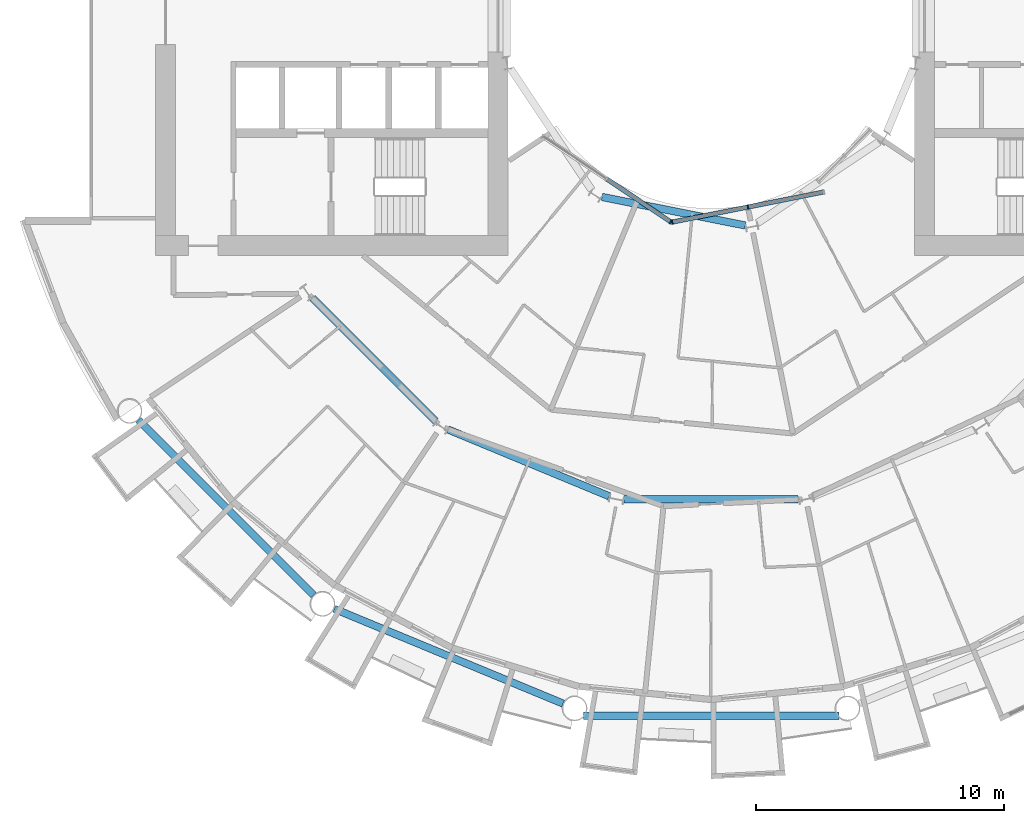
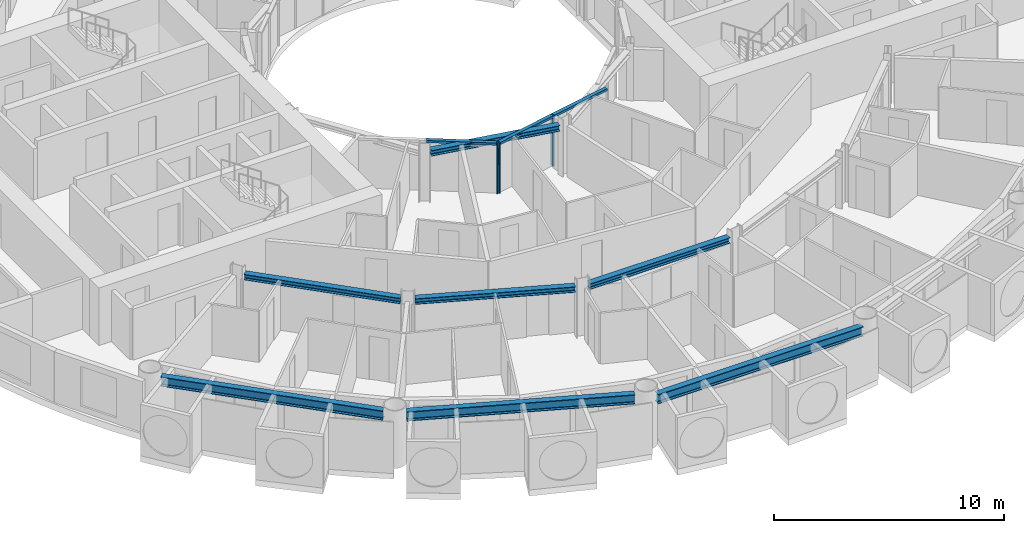
# One storey, part 4 of 26: 7 beams, 6 members, 2 elements without a shape of their own.
"""IFC4 building model written with IfcOpenShell, lengths in metres."""

import ifcopenshell
import ifcopenshell.guid

model = None  # the IFC model being written
_history = None  # IfcOwnerHistory: only IFC2X3 demands one
_inside = {}  # id of a spatial element -> (the spatial element, [elements in it])
_under = {}  # id of a project, library or spatial element -> (it, [spatial elements below it])
_declared = {}  # id of a project -> (the project, [libraries it declares])
_typed = {}  # id of a type object -> (the type object, [elements of that type])
_made_of = {}  # id of a material, layer set ... -> (it, [elements and type objects made of it])


def new_model(schema):
    """Start an empty IFC model of exactly this schema.

    Asked for "IFC4X3", IfcOpenShell would pick the latest addendum, in which some entities
    have other attributes; the version numbers below select the first issue.
    IFC2X3 requires an IfcOwnerHistory on every rooted entity: one is made here for all.
    """
    global model, _history
    if schema == "IFC4X3":
        model = ifcopenshell.file(schema_version=(4, 3, 0, 0))
    else:
        model = ifcopenshell.file(schema=schema)
    _inside.clear()
    _under.clear()
    _declared.clear()
    _typed.clear()
    _made_of.clear()
    _history = None
    if model.schema == "IFC2X3":
        org = make("IfcOrganization", Name="unknown")
        user = make(
            "IfcPersonAndOrganization",
            ThePerson=make("IfcPerson", FamilyName="unknown"),
            TheOrganization=org,
        )
        app = make(
            "IfcApplication",
            ApplicationDeveloper=org,
            Version="unknown",
            ApplicationFullName="unknown",
            ApplicationIdentifier="unknown",
        )
        _history = make(
            "IfcOwnerHistory",
            OwningUser=user,
            OwningApplication=app,
            ChangeAction="ADDED",
            CreationDate=0,
        )
    return model


def make(cls, **values):
    """One entity of the class cls with the attributes given. An attribute that is None is left unset."""
    return model.create_entity(
        cls, **{name: value for name, value in values.items() if value is not None}
    )


def rooted(cls, **values):
    """An entity with a GlobalId (a new one), such as an element, a storey or a relation."""
    return make(cls, GlobalId=ifcopenshell.guid.new(), OwnerHistory=_history, **values)


def si_unit(unit_type, name, prefix=None):
    """IfcSIUnit, for example si_unit("LENGTHUNIT", "METRE", prefix="MILLI")."""
    return make("IfcSIUnit", UnitType=unit_type, Prefix=prefix, Name=name)


def assignment(units):
    """IfcUnitAssignment: the units of a project."""
    return None if units is None else make("IfcUnitAssignment", Units=units)


def point(xyz):
    """IfcCartesianPoint."""
    return None if xyz is None else make("IfcCartesianPoint", Coordinates=xyz)


def direction(xyz):
    """IfcDirection."""
    return None if xyz is None else make("IfcDirection", DirectionRatios=xyz)


def frame(location, z_axis=None, x_axis=None):
    """IfcAxis2Placement3D, a coordinate frame: its origin and axes. An axis left out is left unset."""
    return make(
        "IfcAxis2Placement3D",
        Location=point(location),
        Axis=direction(z_axis),
        RefDirection=direction(x_axis),
    )


def frame_2d(location, x_axis=None):
    """IfcAxis2Placement2D, a coordinate frame in the plane: its origin and x axis."""
    return make(
        "IfcAxis2Placement2D", Location=point(location), RefDirection=direction(x_axis)
    )


def origin():
    """The frame at (0, 0, 0) with its axes left unset."""
    return frame((0.0, 0.0, 0.0))


def origin_2d():
    """The frame at (0, 0) in the plane with its x axis left unset."""
    return frame_2d((0.0, 0.0))


def place(relative_to, where):
    """IfcLocalPlacement: puts the frame where relative to a parent placement (None: the world)."""
    return make(
        "IfcLocalPlacement", PlacementRelTo=relative_to, RelativePlacement=where
    )


def context(
    kind, dimensions, precision=None, world=None, true_north=None, identifier=None
):
    """IfcGeometricRepresentationContext, for example the 3D "Model" context."""
    return make(
        "IfcGeometricRepresentationContext",
        ContextIdentifier=identifier,
        ContextType=kind,
        CoordinateSpaceDimension=dimensions,
        Precision=precision,
        WorldCoordinateSystem=world,
        TrueNorth=true_north,
    )


def subcontext(parent, identifier, kind, view, scale=None):
    """IfcGeometricRepresentationSubContext, for example "Body" below "Model"."""
    return make(
        "IfcGeometricRepresentationSubContext",
        ContextIdentifier=identifier,
        ContextType=kind,
        ParentContext=parent,
        TargetScale=scale,
        TargetView=view,
    )


def project(units=None, contexts=None):
    """IfcProject with its units and contexts."""
    return rooted(
        "IfcProject",
        Name="project",
        RepresentationContexts=contexts,
        UnitsInContext=assignment(units),
    )


def spatial(cls, under=None, at=None, **own):
    """A site, building, storey or space (cls), placed at a placement, below another one or the project."""
    s = rooted(cls, ObjectPlacement=at, **own)
    if under is not None:
        _under.setdefault(under.id(), (under, []))[1].append(s)
    return s


def profile(cls, at=None, kind="AREA", **sizes):
    """A parametric profile (cls). Its sizes go by their IFC names, for example OverallWidth=200.0."""
    return make(cls, ProfileType=kind, Position=at, **sizes)


def rectangle(**sizes):
    """IfcRectangleProfileDef."""
    return profile("IfcRectangleProfileDef", **sizes)


def i_section(**sizes):
    """IfcIShapeProfileDef."""
    return profile("IfcIShapeProfileDef", **sizes)


def extrude(swept, where, along, depth):
    """IfcExtrudedAreaSolid: the profile swept, set in the frame where, extruded along a direction by depth."""
    return make(
        "IfcExtrudedAreaSolid",
        SweptArea=swept,
        Position=where,
        ExtrudedDirection=direction(along),
        Depth=depth,
    )


def shape(context_of_items, identifier, shape_type, items):
    """IfcShapeRepresentation: the items that make up one representation, for example the "Body"."""
    return make(
        "IfcShapeRepresentation",
        ContextOfItems=context_of_items,
        RepresentationIdentifier=identifier,
        RepresentationType=shape_type,
        Items=items,
    )


def material(Name=None, Category=None):
    """IfcMaterial."""
    return make("IfcMaterial", Name=Name, Category=Category)


def layer(
    of_material, thickness, ventilated=None, Name=None, Category=None, Priority=None
):
    """IfcMaterialLayer: one layer of a wall or slab, of a material (None: an air gap)."""
    return make(
        "IfcMaterialLayer",
        Material=of_material,
        LayerThickness=thickness,
        IsVentilated=ventilated,
        Name=Name,
        Category=Category,
        Priority=Priority,
    )


def layer_set(layers, Name=None):
    """IfcMaterialLayerSet."""
    return make("IfcMaterialLayerSet", MaterialLayers=layers, LayerSetName=Name)


def material_profile(
    of_material, cross_section, Name=None, Category=None, Priority=None
):
    """IfcMaterialProfile: a cross section and its material."""
    return make(
        "IfcMaterialProfile",
        Name=Name,
        Material=of_material,
        Profile=cross_section,
        Priority=Priority,
        Category=Category,
    )


def profile_set(profiles, Name=None, composite=None):
    """IfcMaterialProfileSet."""
    return make(
        "IfcMaterialProfileSet",
        Name=Name,
        MaterialProfiles=profiles,
        CompositeProfile=composite,
    )


def made_of(thing, what):
    """Note that an element or type object is made of a material, layer set ...; save() writes the relation."""
    if what is not None:
        _made_of.setdefault(what.id(), (what, []))[1].append(thing)
    return thing


def type_object(cls, material=None, **own):
    """A type object (cls), such as IfcWallType, which elements share."""
    return made_of(rooted(cls, **own), material)


def element(
    cls,
    number,
    at=None,
    inside=None,
    cuts=None,
    type_object=None,
    material=None,
    context=None,
    identifier="Body",
    shape_type=None,
    held_by="IfcProductDefinitionShape",
    body=None,
    shapes=None,
    **own,
):
    """One element of the class cls, such as IfcWall. Its Tag is "e" and its number.

    at: its placement. inside: the storey or other place that contains it. cuts: it is an
    opening in that element (IfcRelVoidsElement). A single representation is given by context,
    identifier, shape_type and body (its items); several are given by shapes. held_by: the class
    of the entity that holds the representations. save() writes the other relations.
    """
    e = rooted(cls, Tag="e%d" % number, ObjectPlacement=at, **own)
    if body is not None:
        shapes = [shape(context, identifier, shape_type, body)]
    if shapes is not None:
        e.Representation = make(held_by, Representations=shapes)
    if inside is not None:
        _inside.setdefault(inside.id(), (inside, []))[1].append(e)
    if cuts is not None:
        rooted(
            "IfcRelVoidsElement", RelatingBuildingElement=cuts, RelatedOpeningElement=e
        )
    if type_object is not None:
        _typed.setdefault(type_object.id(), (type_object, []))[1].append(e)
    return made_of(e, material)


def aggregate(whole, parts):
    """IfcRelAggregates: a whole, such as a stair, and the parts it consists of."""
    return rooted("IfcRelAggregates", RelatingObject=whole, RelatedObjects=parts)


def save(model, path):
    """Write the relations noted so far, then the file.

    IfcRelAggregates (storeys below a building ...), IfcRelContainedInSpatialStructure (elements
    in a storey), IfcRelDefinesByType, IfcRelAssociatesMaterial and IfcRelDeclares: one each for
    every whole, place, type object, material and project.
    """
    for whole, parts in _under.values():
        aggregate(whole, parts)
    for where, things in _inside.values():
        rooted(
            "IfcRelContainedInSpatialStructure",
            RelatedElements=things,
            RelatingStructure=where,
        )
    for kind, things in _typed.values():
        rooted("IfcRelDefinesByType", RelatedObjects=things, RelatingType=kind)
    for what, things in _made_of.values():
        rooted("IfcRelAssociatesMaterial", RelatedObjects=things, RelatingMaterial=what)
    for by, libraries in _declared.values():
        rooted("IfcRelDeclares", RelatingContext=by, RelatedDefinitions=libraries)
    model.write(path)


model = new_model("IFC4")

# Units and contexts
model_context = context("Model", 3, precision=1e-05, world=origin(), true_north=direction((0.0, 1.0)))
body_context = subcontext(model_context, "Body", "Model", "MODEL_VIEW")
ifc_project = project(units=[si_unit("LENGTHUNIT", "METRE"), si_unit("AREAUNIT", "SQUARE_METRE"), si_unit("VOLUMEUNIT", "CUBIC_METRE"), si_unit("PLANEANGLEUNIT", "RADIAN"), si_unit("MASSUNIT", "GRAM", prefix="KILO")], contexts=[model_context])

# Site, building, storey
site_placement = place(None, origin())
site = spatial("IfcSite", under=ifc_project, at=site_placement, CompositionType="ELEMENT")
building_placement = place(site_placement, origin())
building = spatial("IfcBuilding", under=site, at=building_placement, Name="Maasbend Ring Residences", CompositionType="ELEMENT")
storey_placement = place(building_placement, frame((0.0, 0.0, 25.85009765625)))
storey = spatial("IfcBuildingStorey", under=building, at=storey_placement, Name="L06", CompositionType="ELEMENT", Elevation=25.85009765625)

# Curtain wall, member
ifc_material_1 = material(Name="Aluminium and clear glass", Category="aluminium")
ifc_layer = layer(ifc_material_1, 0.179931640625)
ifc_layer_set = layer_set([ifc_layer], Name="CW-W")
curtain_wall_type = type_object("IfcCurtainWallType", Name="CW-W", PredefinedType="NOTDEFINED", material=ifc_layer_set)
curtain_wall_1_placement = place(storey_placement, origin())
curtain_wall_1 = element("IfcCurtainWall", 1, at=curtain_wall_1_placement, inside=storey, type_object=curtain_wall_type, Name="Well curtain wall S1", PredefinedType="NOTDEFINED")
ifc_material_2 = material(Name="Aluminium 6063-T6", Category="aluminium")
ifc_material_profile_1 = material_profile(ifc_material_2, rectangle(XDim=0.179931640625, YDim=0.06005859375, at=origin_2d()), Name="AL 180x60")
ifc_profile_set_1 = profile_set([ifc_material_profile_1], Name="Aluminium 6063-T6")
member_type_1 = type_object("IfcMemberType", Name="CWM-W", PredefinedType="MULLION", material=ifc_profile_set_1)
member_1_placement = place(storey_placement, frame((-1.627685546875, -8.040771484375, 0.0), z_axis=(0.0, 0.0, 1.0), x_axis=(0.55557023302, 0.831469612303, 0.0)))
member_1 = element("IfcMember", 2, at=member_1_placement, type_object=member_type_1, Name="Mullion well face", PredefinedType="MULLION", context=body_context, shape_type="SweptSolid", body=[
    extrude(rectangle(XDim=0.179931640625, YDim=0.06005859375, at=origin_2d()), origin(), (0.0, 0.0, 1.0), 2.699951171875),
])

# Curtain wall, members
curtain_wall_2_placement = place(storey_placement, origin())
curtain_wall_2 = element("IfcCurtainWall", 3, at=curtain_wall_2_placement, inside=storey, type_object=curtain_wall_type, Name="Well curtain wall S2", PredefinedType="NOTDEFINED")
member_2_placement = place(storey_placement, frame((-1.5732421875, -8.0517578125, 0.0), z_axis=(0.0, 0.0, 1.0), x_axis=(-0.195090322016, 0.980785280403, 0.0)))
member_2 = element("IfcMember", 4, at=member_2_placement, type_object=member_type_1, Name="Mullion well face", PredefinedType="MULLION", context=body_context, shape_type="SweptSolid", body=[
    extrude(rectangle(XDim=0.179931640625, YDim=0.06005859375, at=origin_2d()), origin(), (0.0, 0.0, 1.0), 2.699951171875),
])
member_3_placement = place(storey_placement, frame((1.480712890625, -7.444091796875, 0.0), z_axis=(0.0, 0.0, 1.0), x_axis=(-0.195090322016, 0.980785280403, 0.0)))
member_3 = element("IfcMember", 5, at=member_3_placement, type_object=member_type_1, Name="Mullion well face", PredefinedType="MULLION", context=body_context, shape_type="SweptSolid", body=[
    extrude(rectangle(XDim=0.179931640625, YDim=0.06005859375, at=origin_2d()), origin(), (0.0, 0.0, 1.0), 2.699951171875),
])

# Member
ifc_material_3 = material(Name="Aluminium 6063-T6", Category="aluminium")
ifc_material_profile_2 = material_profile(ifc_material_3, rectangle(XDim=0.179931640625, YDim=0.1201171875, at=origin_2d()), Name="AL 180x120")
ifc_profile_set_2 = profile_set([ifc_material_profile_2], Name="Aluminium 6063-T6")
member_type_2 = type_object("IfcMemberType", Name="CWT-W", PredefinedType="USERDEFINED", material=ifc_profile_set_2)
member_4_placement = place(storey_placement, frame((-4.19189453125, -6.32763671875, 2.639892578125), z_axis=(0.831496422459, -0.555530106689, 0.0), x_axis=(0.555530106689, 0.831496422459, 0.0)))
member_4 = element("IfcMember", 6, at=member_4_placement, type_object=member_type_2, Name="Transom well face", ObjectType="TRANSOM", PredefinedType="USERDEFINED", context=body_context, shape_type="SweptSolid", body=[
    extrude(rectangle(XDim=0.179931640625, YDim=0.1201171875, at=origin_2d()), origin(), (0.0, 0.0, 1.0), 3.053955078125),
])

aggregate(curtain_wall_1, [member_1, member_4])

member_5_placement = place(storey_placement, frame((-1.5439453125, -8.0458984375, 2.639892578125), z_axis=(0.980776956105, 0.195132166424, 0.0), x_axis=(-0.195132166424, 0.980776956105, 0.0)))
member_5 = element("IfcMember", 7, at=member_5_placement, type_object=member_type_2, Name="Transom well face", ObjectType="TRANSOM", PredefinedType="USERDEFINED", context=body_context, shape_type="SweptSolid", body=[
    extrude(rectangle(XDim=0.179931640625, YDim=0.1201171875, at=origin_2d()), origin(), (0.0, 0.0, 1.0), 3.053955078125),
])

member_6_placement = place(storey_placement, frame((1.51025390625, -7.438232421875, 2.639892578125), z_axis=(0.980789210404, 0.19507056353, 0.0), x_axis=(-0.19507056353, 0.980789210404, 0.0)))
member_6 = element("IfcMember", 8, at=member_6_placement, type_object=member_type_2, Name="Transom well face", ObjectType="TRANSOM", PredefinedType="USERDEFINED", context=body_context, shape_type="SweptSolid", body=[
    extrude(rectangle(XDim=0.179931640625, YDim=0.1201171875, at=origin_2d()), origin(), (0.0, 0.0, 1.0), 3.0537109375),
])

aggregate(curtain_wall_2, [member_2, member_3, member_5, member_6])

# Beams
ifc_material_4 = material(Name="Steel S355J2", Category="steel")
ifc_material_profile_3 = material_profile(ifc_material_4, i_section(OverallWidth=0.300048828125, OverallDepth=0.300048828125, WebThickness=0.010986328125, FlangeThickness=0.01904296875, FilletRadius=0.027099609375, at=origin_2d()), Name="HEB 300")
ifc_profile_set_3 = profile_set([ifc_material_profile_3], Name="Steel S355J2")
beam_type_1 = type_object("IfcBeamType", Name="Corridor ring beam HEB 300", PredefinedType="BEAM", material=ifc_profile_set_3)
beam_1_placement = place(storey_placement, frame((-16.0732421875, -11.11279296875, 2.5498046875), z_axis=(0.707106781187, -0.707106781187, 0.0), x_axis=(0.707106781187, 0.707106781187, 0.0)))
element("IfcBeam", 9, at=beam_1_placement, inside=storey, type_object=beam_type_1, Name="Corridor ring beam", PredefinedType="BEAM", context=body_context, shape_type="SweptSolid", body=[
    extrude(i_section(OverallWidth=0.300048828125, OverallDepth=0.300048828125, WebThickness=0.010986328125, FlangeThickness=0.01904296875, FilletRadius=0.027099609375, at=origin_2d()), origin(), (0.0, 0.0, 1.0), 7.01513671875),
])
beam_2_placement = place(storey_placement, frame((-10.59716796875, -16.417724609375, 2.5498046875), z_axis=(0.923886196809, -0.38266734293, 0.0), x_axis=(0.38266734293, 0.923886196809, 0.0)))
element("IfcBeam", 10, at=beam_2_placement, inside=storey, type_object=beam_type_1, Name="Corridor ring beam", PredefinedType="BEAM", context=body_context, shape_type="SweptSolid", body=[
    extrude(i_section(OverallWidth=0.300048828125, OverallDepth=0.300048828125, WebThickness=0.010986328125, FlangeThickness=0.01904296875, FilletRadius=0.027099609375, at=origin_2d()), origin(), (0.0, 0.0, 1.0), 7.015380859375),
])
beam_3_placement = place(storey_placement, frame((-3.5078125, -19.223388671875, 2.5498046875), z_axis=(1.0, 0.0, 0.0), x_axis=(0.0, 1.0, 0.0)))
element("IfcBeam", 11, at=beam_3_placement, inside=storey, type_object=beam_type_1, Name="Corridor ring beam", PredefinedType="BEAM", context=body_context, shape_type="SweptSolid", body=[
    extrude(i_section(OverallWidth=0.300048828125, OverallDepth=0.300048828125, WebThickness=0.010986328125, FlangeThickness=0.01904296875, FilletRadius=0.027099609375, at=origin_2d()), origin(), (0.0, 0.0, 1.0), 7.015625),
])
ifc_material_5 = material(Name="Steel S355J2", Category="steel")
ifc_material_profile_4 = material_profile(ifc_material_5, i_section(OverallWidth=0.300048828125, OverallDepth=0.5, WebThickness=0.014404296875, FlangeThickness=0.028076171875, FilletRadius=0.027099609375, at=origin_2d()), Name="HEB 500")
ifc_profile_set_4 = profile_set([ifc_material_profile_4], Name="Steel S355J2")
beam_type_2 = type_object("IfcBeamType", Name="Spandrel ring beam HEB 500", PredefinedType="SPANDREL", material=ifc_profile_set_4)
beam_4_placement = place(storey_placement, frame((-23.088134765625, -16.0263671875, 2.449951171875), z_axis=(0.707106781187, -0.707106781187, 0.0), x_axis=(0.707106781187, 0.707106781187, 0.0)))
element("IfcBeam", 12, at=beam_4_placement, inside=storey, type_object=beam_type_2, Name="Spandrel ring beam", PredefinedType="SPANDREL", context=body_context, shape_type="SweptSolid", body=[
    extrude(i_section(OverallWidth=0.300048828125, OverallDepth=0.5, WebThickness=0.014404296875, FlangeThickness=0.028076171875, FilletRadius=0.027099609375, at=origin_2d()), origin(), (0.0, 0.0, 1.0), 9.98681640625),
])
beam_5_placement = place(storey_placement, frame((-15.19775390625, -23.641845703125, 2.449951171875), z_axis=(0.923886337442, -0.382667003395, 0.0), x_axis=(0.382667003395, 0.923886337442, 0.0)))
element("IfcBeam", 13, at=beam_5_placement, inside=storey, type_object=beam_type_2, Name="Spandrel ring beam", PredefinedType="SPANDREL", context=body_context, shape_type="SweptSolid", body=[
    extrude(i_section(OverallWidth=0.300048828125, OverallDepth=0.5, WebThickness=0.014404296875, FlangeThickness=0.028076171875, FilletRadius=0.027099609375, at=origin_2d()), origin(), (0.0, 0.0, 1.0), 9.9873046875),
])
beam_6_placement = place(storey_placement, frame((-5.1435546875, -27.9580078125, 2.449951171875), z_axis=(1.0, 0.0, 0.0), x_axis=(0.0, 1.0, 0.0)))
element("IfcBeam", 14, at=beam_6_placement, inside=storey, type_object=beam_type_2, Name="Spandrel ring beam", PredefinedType="SPANDREL", context=body_context, shape_type="SweptSolid", body=[
    extrude(i_section(OverallWidth=0.300048828125, OverallDepth=0.5, WebThickness=0.014404296875, FlangeThickness=0.028076171875, FilletRadius=0.027099609375, at=origin_2d()), origin(), (0.0, 0.0, 1.0), 10.287109375),
])
ifc_material_6 = material(Name="Steel S355J2", Category="steel")
ifc_material_profile_5 = material_profile(ifc_material_6, i_section(OverallWidth=0.300048828125, OverallDepth=0.300048828125, WebThickness=0.010986328125, FlangeThickness=0.01904296875, FilletRadius=0.027099609375, at=origin_2d()), Name="HEB 300")
ifc_profile_set_5 = profile_set([ifc_material_profile_5], Name="Steel S355J2")
beam_type_3 = type_object("IfcBeamType", Name="Well edge beam HEB 300", PredefinedType="BEAM", material=ifc_profile_set_5)
beam_7_placement = place(storey_placement, frame((-4.4013671875, -7.037109375, 2.5498046875), z_axis=(0.980784282486, -0.195095338819, 0.0), x_axis=(0.195095338819, 0.980784282486, 0.0)))
element("IfcBeam", 15, at=beam_7_placement, inside=storey, type_object=beam_type_3, Name="Well edge beam", PredefinedType="BEAM", context=body_context, shape_type="SweptSolid", body=[
    extrude(i_section(OverallWidth=0.300048828125, OverallDepth=0.300048828125, WebThickness=0.010986328125, FlangeThickness=0.01904296875, FilletRadius=0.027099609375, at=origin_2d()), origin(), (0.0, 0.0, 1.0), 5.8876953125),
])

save(model, "model.ifc")
